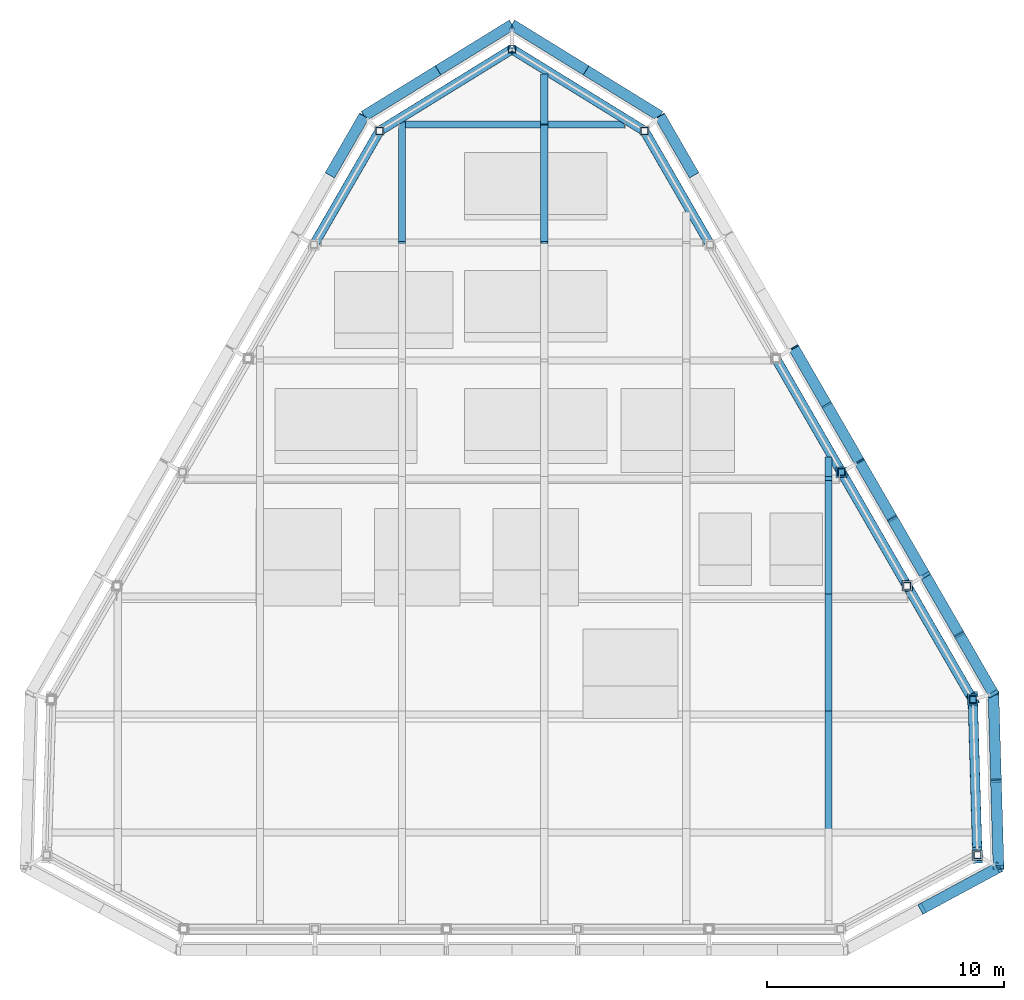
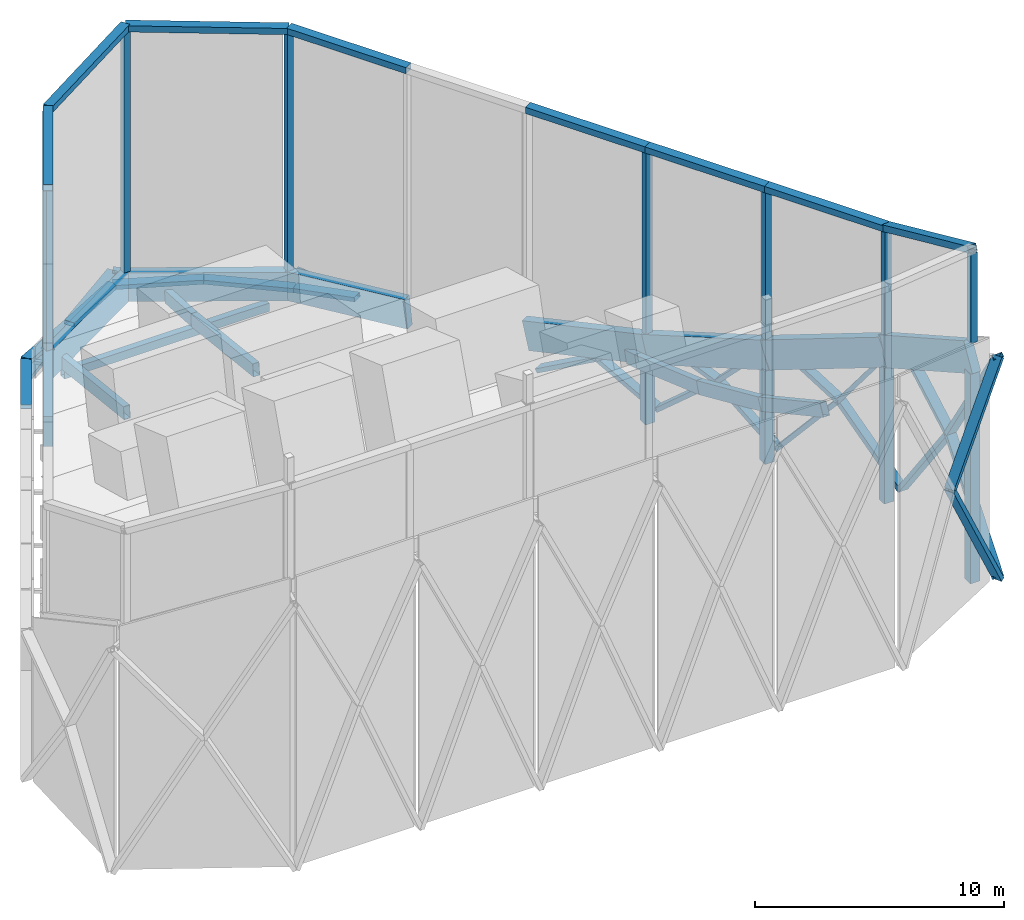
# One storey, part 4 of 13: 47 members, 17 beams.
"""IFC4 building model written with IfcOpenShell, lengths in metres."""

from ifc_helpers import new_model, si_unit, direction, frame, origin, origin_2d, place, context, subcontext, project, spatial, rectangle, hollow_rectangle, extrude, material, material_profile, profile_set, type_object, element, save


model = new_model("IFC4")

# Units and contexts
model_context = context("Model", 3, precision=1e-05, world=origin(), true_north=direction((0.0, 1.0)))
body_context = subcontext(model_context, "Body", "Model", "MODEL_VIEW")
ifc_project = project(units=[si_unit("LENGTHUNIT", "METRE"), si_unit("AREAUNIT", "SQUARE_METRE"), si_unit("VOLUMEUNIT", "CUBIC_METRE"), si_unit("PLANEANGLEUNIT", "RADIAN"), si_unit("MASSUNIT", "GRAM", prefix="KILO")], contexts=[model_context])

# Site, building, storey
site_placement = place(None, origin())
site = spatial("IfcSite", under=ifc_project, at=site_placement, CompositionType="ELEMENT")
building_placement = place(site_placement, origin())
building = spatial("IfcBuilding", under=site, at=building_placement, Name="Firuza Gate Tower and Library", CompositionType="ELEMENT")
storey_placement = place(building_placement, frame((0.0, 0.0, 358.0)))
storey = spatial("IfcBuildingStorey", under=building, at=storey_placement, Name="Upper roof", CompositionType="ELEMENT", Elevation=358.0)

# Beams
ifc_material_1 = material(Name="Steel S355", Category="steel")
ifc_material_profile_1 = material_profile(ifc_material_1, hollow_rectangle(XDim=0.406494140625, YDim=0.3046875, WallThickness=0.01171875, at=origin_2d()))
ifc_profile_set_1 = profile_set([ifc_material_profile_1], Name="Steel S355")
beam_type_1 = type_object("IfcBeamType", Name="Crest cap beam HSS305x406x13", PredefinedType="BEAM", material=ifc_profile_set_1)
beam_1_placement = place(storey_placement, frame((94.64111328125, 63.66015625, 15.86279296875), z_axis=(-0.026783302788, 0.916697724669, -0.398682751417), x_axis=(-0.999573451893, -0.029204696052, 0.0)))
element("IfcBeam", 1, at=beam_1_placement, inside=storey, type_object=beam_type_1, Name="Crest cap beam 9", PredefinedType="BEAM", context=body_context, shape_type="SweptSolid", body=[
    extrude(hollow_rectangle(XDim=0.406494140625, YDim=0.3046875, WallThickness=0.01171875, at=origin_2d()), origin(), (0.0, 0.0, 1.0), 7.164794921875),
])
for number, where, z_axis, x_axis, name in (
    (2, (94.44921875, 70.22802734375, 13.00634765625), (-0.500004591975, 0.86602275259, 0.0), (-0.86602275259, -0.500004591975, 0.0), "Crest cap beam 10"),
    (3, (91.677734375, 75.0283203125, 13.00634765625), (-0.500004591975, 0.86602275259, 0.0), (-0.86602275259, -0.500004591975, 0.0), "Crest cap beam 11"),
    (4, (88.90625, 79.82861328125, 13.00634765625), (-0.500004591975, 0.86602275259, 0.0), (-0.86602275259, -0.500004591975, 0.0), "Crest cap beam 12"),
    (5, (83.363525390625, 89.42919921875, 13.00634765625), (-0.500004591975, 0.86602275259, 0.0), (-0.86602275259, -0.500004591975, 0.0), "Crest cap beam 14"),
):
    element("IfcBeam", number, at=place(storey_placement, frame(where, z_axis=z_axis, x_axis=x_axis)), inside=storey, type_object=beam_type_1, Name=name, PredefinedType="BEAM", context=body_context, shape_type="SweptSolid", body=[
        extrude(hollow_rectangle(XDim=0.406494140625, YDim=0.3046875, WallThickness=0.01171875, at=origin_2d()), origin(), (0.0, 0.0, 1.0), 5.54296875),
    ])
for number, where, z_axis, x_axis, name in (
    (6, (80.592041015625, 94.2294921875, 13.00634765625), (-0.851050497094, 0.525083851776, 0.0), (-0.525083851776, -0.851050497094, 0.0), "Crest cap beam 15"),
    (7, (75.0, 97.6796875, 13.00634765625), (-0.851050497094, -0.525083851776, 0.0), (0.525083851776, -0.851050497094, 0.0), "Crest cap beam 16"),
):
    element("IfcBeam", number, at=place(storey_placement, frame(where, z_axis=z_axis, x_axis=x_axis)), inside=storey, type_object=beam_type_1, Name=name, PredefinedType="BEAM", context=body_context, shape_type="SweptSolid", body=[
        extrude(hollow_rectangle(XDim=0.406494140625, YDim=0.3046875, WallThickness=0.01171875, at=origin_2d()), origin(), (0.0, 0.0, 1.0), 6.57080078125),
    ])
beam_2_placement = place(storey_placement, frame((69.407958984375, 94.2294921875, 13.00634765625), z_axis=(-0.500004591975, -0.86602275259, 0.0), x_axis=(0.86602275259, -0.500004591975, 0.0)))
element("IfcBeam", 8, at=beam_2_placement, inside=storey, type_object=beam_type_1, Name="Crest cap beam 17", PredefinedType="BEAM", context=body_context, shape_type="SweptSolid", body=[
    extrude(hollow_rectangle(XDim=0.406494140625, YDim=0.3046875, WallThickness=0.01171875, at=origin_2d()), origin(), (0.0, 0.0, 1.0), 5.54296875),
])

# Members
ifc_material_2 = material(Name="Steel S355", Category="steel")
ifc_material_profile_2 = material_profile(ifc_material_2, hollow_rectangle(XDim=0.3046875, YDim=0.3046875, WallThickness=0.014892578125, at=origin_2d()))
ifc_profile_set_2 = profile_set([ifc_material_profile_2], Name="Steel S355")
member_type_1 = type_object("IfcMemberType", Name="Crest post HSS305x305x16", PredefinedType="POST", material=ifc_profile_set_2)
member_1_placement = place(storey_placement, frame((94.44921875, 70.22802734375, 7.663330078125), z_axis=(0.0, 0.0, 1.0), x_axis=(1.0, 0.0, 0.0)))
element("IfcMember", 9, at=member_1_placement, inside=storey, type_object=member_type_1, Name="Crest post 10", PredefinedType="POST", context=body_context, shape_type="SweptSolid", body=[
    extrude(hollow_rectangle(XDim=0.3046875, YDim=0.3046875, WallThickness=0.014892578125, at=origin_2d()), origin(), (0.0, 0.0, 1.0), 5.195556640625),
])
member_2_placement = place(storey_placement, frame((88.90625, 79.82861328125, 3.922119140625), z_axis=(0.0, 0.0, 1.0), x_axis=(1.0, 0.0, 0.0)))
element("IfcMember", 10, at=member_2_placement, inside=storey, type_object=member_type_1, Name="Crest post 12", PredefinedType="POST", context=body_context, shape_type="SweptSolid", body=[
    extrude(hollow_rectangle(XDim=0.3046875, YDim=0.3046875, WallThickness=0.014892578125, at=origin_2d()), origin(), (0.0, 0.0, 1.0), 8.936767578125),
])
member_3_placement = place(storey_placement, frame((75.0, 97.6796875, 1.02392578125), z_axis=(0.0, 0.0, 1.0), x_axis=(1.0, 0.0, 0.0)))
element("IfcMember", 11, at=member_3_placement, inside=storey, type_object=member_type_1, Name="Crest post 16", PredefinedType="POST", context=body_context, shape_type="SweptSolid", body=[
    extrude(hollow_rectangle(XDim=0.3046875, YDim=0.3046875, WallThickness=0.014892578125, at=origin_2d()), origin(), (0.0, 0.0, 1.0), 11.8349609375),
])
ifc_material_3 = material(Name="Steel S355", Category="steel")
ifc_material_profile_3 = material_profile(ifc_material_3, hollow_rectangle(XDim=0.457275390625, YDim=0.203125, WallThickness=0.01171875, at=origin_2d()))
ifc_profile_set_3 = profile_set([ifc_material_profile_3], Name="Steel S355")
member_type_2 = type_object("IfcMemberType", Name="Crown lattice bar HSS203x457x13", PredefinedType="BRACE", material=ifc_profile_set_3)
member_4_placement = place(storey_placement, frame((92.30712890625, 61.404052734375, 6.209716796875), z_axis=(0.432039757891, 0.232880604635, -0.871268197277), x_axis=(-0.4744848783, 0.880263653836, 0.0)))
element("IfcMember", 12, at=member_4_placement, inside=storey, type_object=member_type_2, Name="Crown lattice band bar 8.1b", PredefinedType="BRACE", context=body_context, shape_type="SweptSolid", body=[
    extrude(hollow_rectangle(XDim=0.457275390625, YDim=0.203125, WallThickness=0.01171875, at=origin_2d()), origin(), (0.0, 0.0, 1.0), 7.4716796875),
])
member_5_placement = place(storey_placement, frame((92.30712890625, 61.404052734375, 6.209716796875), z_axis=(0.565743457853, 0.304950357292, 0.766119846684), x_axis=(-0.4744848783, 0.880263653836, 0.0)))
element("IfcMember", 13, at=member_5_placement, inside=storey, type_object=member_type_2, Name="Crown lattice band bar 8.2b", PredefinedType="BRACE", context=body_context, shape_type="SweptSolid", body=[
    extrude(hollow_rectangle(XDim=0.457275390625, YDim=0.203125, WallThickness=0.01171875, at=origin_2d()), origin(), (0.0, 0.0, 1.0), 5.705810546875),
])
for number, where, z_axis, x_axis, name in (
    (14, (95.53515625, 63.14404296875, -0.300048828125), (-0.017409296389, 0.595445524575, 0.803207036612), (-0.999572860194, -0.029224940768, 0.0), "Crown lattice band bar 9.1a"),
    (15, (95.427978515625, 66.809814453125, 4.644775390625), (-0.017409707483, 0.595419927456, -0.803226003111), (-0.99957280333, -0.029226885618, 0.0), "Crown lattice band bar 9.1b"),
):
    element("IfcMember", number, at=place(storey_placement, frame(where, z_axis=z_axis, x_axis=x_axis)), inside=storey, type_object=member_type_2, Name=name, PredefinedType="BRACE", context=body_context, shape_type="SweptSolid", body=[
        extrude(hollow_rectangle(XDim=0.457275390625, YDim=0.203125, WallThickness=0.01171875, at=origin_2d()), origin(), (0.0, 0.0, 1.0), 6.15625),
    ])
member_6_placement = place(storey_placement, frame((95.53515625, 63.14404296875, 10.5810546875), z_axis=(-0.015359961534, 0.525352670698, -0.850745933268), x_axis=(-0.999572860194, -0.029224940768, 0.0)))
element("IfcMember", 16, at=member_6_placement, inside=storey, type_object=member_type_2, Name="Crown lattice band bar 9.2a", PredefinedType="BRACE", context=body_context, shape_type="SweptSolid", body=[
    extrude(hollow_rectangle(XDim=0.457275390625, YDim=0.203125, WallThickness=0.01171875, at=origin_2d()), origin(), (0.0, 0.0, 1.0), 6.977783203125),
])
member_7_placement = place(storey_placement, frame((95.427978515625, 66.809814453125, 4.644775390625), z_axis=(-0.024704009325, 0.844888373596, 0.534371919253), x_axis=(-0.99957280333, -0.029226885618, 0.0)))
element("IfcMember", 17, at=member_7_placement, inside=storey, type_object=member_type_2, Name="Crown lattice band bar 9.2b", PredefinedType="BRACE", context=body_context, shape_type="SweptSolid", body=[
    extrude(hollow_rectangle(XDim=0.457275390625, YDim=0.203125, WallThickness=0.01171875, at=origin_2d()), origin(), (0.0, 0.0, 1.0), 4.33837890625),
])
for number, where, z_axis, x_axis, name in (
    (18, (95.32080078125, 70.475341796875, -0.300048828125), (-0.324578300239, 0.562169835955, 0.760666814417), (-0.866019137337, -0.500010853648, 0.0), "Crown lattice band bar 10.1a"),
    (19, (93.879638671875, 72.971435546875, 3.077392578125), (-0.324519074441, 0.562217474782, -0.760656874927), (-0.866076985468, -0.49991064726, 0.0), "Crown lattice band bar 10.1b"),
):
    element("IfcMember", number, at=place(storey_placement, frame(where, z_axis=z_axis, x_axis=x_axis)), inside=storey, type_object=member_type_2, Name=name, PredefinedType="BRACE", context=body_context, shape_type="SweptSolid", body=[
        extrude(hollow_rectangle(XDim=0.457275390625, YDim=0.203125, WallThickness=0.01171875, at=origin_2d()), origin(), (0.0, 0.0, 1.0), 4.440185546875),
    ])
member_8_placement = place(storey_placement, frame((95.32080078125, 70.475341796875, 6.963134765625), z_axis=(-0.297882709805, 0.515933055234, -0.803168085593), x_axis=(-0.866019137337, -0.500010853648, 0.0)))
element("IfcMember", 20, at=member_8_placement, inside=storey, type_object=member_type_2, Name="Crown lattice band bar 10.2a", PredefinedType="BRACE", context=body_context, shape_type="SweptSolid", body=[
    extrude(hollow_rectangle(XDim=0.457275390625, YDim=0.203125, WallThickness=0.01171875, at=origin_2d()), origin(), (0.0, 0.0, 1.0), 4.838134765625),
])
member_9_placement = place(storey_placement, frame((93.879638671875, 72.971435546875, 3.077392578125), z_axis=(-0.423742914411, 0.734119162971, 0.530576099203), x_axis=(-0.866076985468, -0.49991064726, 0.0)))
element("IfcMember", 21, at=member_9_placement, inside=storey, type_object=member_type_2, Name="Crown lattice band bar 10.2b", PredefinedType="BRACE", context=body_context, shape_type="SweptSolid", body=[
    extrude(hollow_rectangle(XDim=0.457275390625, YDim=0.203125, WallThickness=0.01171875, at=origin_2d()), origin(), (0.0, 0.0, 1.0), 3.400390625),
])
member_10_placement = place(storey_placement, frame((92.438720703125, 75.4677734375, -0.300048828125), z_axis=(-0.381455457378, 0.660692142616, 0.646511892174), x_axis=(-0.86602275259, -0.500004591975, 0.0)))
element("IfcMember", 22, at=member_10_placement, inside=storey, type_object=member_type_2, Name="Crown lattice band bar 11.1a", PredefinedType="BRACE", context=body_context, shape_type="SweptSolid", body=[
    extrude(hollow_rectangle(XDim=0.457275390625, YDim=0.203125, WallThickness=0.01171875, at=origin_2d()), origin(), (0.0, 0.0, 1.0), 3.6328125),
])
member_11_placement = place(storey_placement, frame((91.052978515625, 77.867919921875, 2.048583984375), z_axis=(-0.381472394954, 0.660654271036, -0.646540598918), x_axis=(-0.866000726912, -0.500042739161, 0.0)))
element("IfcMember", 23, at=member_11_placement, inside=storey, type_object=member_type_2, Name="Crown lattice band bar 11.1b", PredefinedType="BRACE", context=body_context, shape_type="SweptSolid", body=[
    extrude(hollow_rectangle(XDim=0.457275390625, YDim=0.203125, WallThickness=0.01171875, at=origin_2d()), origin(), (0.0, 0.0, 1.0), 3.632568359375),
])
member_12_placement = place(storey_placement, frame((92.438720703125, 75.4677734375, 4.881591796875), z_axis=(-0.349652753828, 0.60560891876, -0.714829202858), x_axis=(-0.86602275259, -0.500004591975, 0.0)))
element("IfcMember", 24, at=member_12_placement, inside=storey, type_object=member_type_2, Name="Crown lattice band bar 11.2a", PredefinedType="BRACE", context=body_context, shape_type="SweptSolid", body=[
    extrude(hollow_rectangle(XDim=0.457275390625, YDim=0.203125, WallThickness=0.01171875, at=origin_2d()), origin(), (0.0, 0.0, 1.0), 3.963134765625),
])
member_13_placement = place(storey_placement, frame((91.052978515625, 77.867919921875, 2.048583984375), z_axis=(-0.46045539814, 0.797441255059, 0.389959319742), x_axis=(-0.866000726912, -0.500042739161, 0.0)))
element("IfcMember", 25, at=member_13_placement, inside=storey, type_object=member_type_2, Name="Crown lattice band bar 11.2b", PredefinedType="BRACE", context=body_context, shape_type="SweptSolid", body=[
    extrude(hollow_rectangle(XDim=0.457275390625, YDim=0.203125, WallThickness=0.01171875, at=origin_2d()), origin(), (0.0, 0.0, 1.0), 3.009521484375),
])
for number, where, z_axis, x_axis, name in (
    (26, (89.667236328125, 80.267822265625, -0.300048828125), (-0.436847339757, 0.756632522401, 0.486489082911), (-0.86602275259, -0.500004591975, 0.0), "Crown lattice band bar 12.1a"),
    (27, (88.281494140625, 82.66796875, 1.2431640625), (-0.436847339757, 0.756632522401, -0.486489082911), (-0.86602275259, -0.500004591975, 0.0), "Crown lattice band bar 12.1b"),
):
    element("IfcMember", number, at=place(storey_placement, frame(where, z_axis=z_axis, x_axis=x_axis)), inside=storey, type_object=member_type_2, Name=name, PredefinedType="BRACE", context=body_context, shape_type="SweptSolid", body=[
        extrude(hollow_rectangle(XDim=0.457275390625, YDim=0.203125, WallThickness=0.01171875, at=origin_2d()), origin(), (0.0, 0.0, 1.0), 3.172119140625),
    ])
member_14_placement = place(storey_placement, frame((89.667236328125, 80.267822265625, 3.22216796875), z_axis=(-0.406912801117, 0.704785015466, -0.581119655718), x_axis=(-0.86602275259, -0.500004591975, 0.0)))
element("IfcMember", 28, at=member_14_placement, inside=storey, type_object=member_type_2, Name="Crown lattice band bar 12.2a", PredefinedType="BRACE", context=body_context, shape_type="SweptSolid", body=[
    extrude(hollow_rectangle(XDim=0.457275390625, YDim=0.203125, WallThickness=0.01171875, at=origin_2d()), origin(), (0.0, 0.0, 1.0), 3.405517578125),
])
member_15_placement = place(storey_placement, frame((88.281494140625, 82.66796875, 1.2431640625), z_axis=(-0.484374777837, 0.838951451888, 0.248075665816), x_axis=(-0.86602275259, -0.500004591975, 0.0)))
element("IfcMember", 29, at=member_15_placement, inside=storey, type_object=member_type_2, Name="Crown lattice band bar 12.2b", PredefinedType="BRACE", context=body_context, shape_type="SweptSolid", body=[
    extrude(hollow_rectangle(XDim=0.457275390625, YDim=0.203125, WallThickness=0.01171875, at=origin_2d()), origin(), (0.0, 0.0, 1.0), 2.86083984375),
])
member_16_placement = place(storey_placement, frame((82.68310546875, 92.364501953125, 0.248046875), z_axis=(-0.491208319453, 0.850773142145, -0.186813938196), x_axis=(-0.866019137337, -0.500010853648, 0.0)))
element("IfcMember", 30, at=member_16_placement, inside=storey, type_object=member_type_2, Name="Crown lattice band bar 14.1b", PredefinedType="BRACE", context=body_context, shape_type="SweptSolid", body=[
    extrude(hollow_rectangle(XDim=0.457275390625, YDim=0.203125, WallThickness=0.01171875, at=origin_2d()), origin(), (0.0, 0.0, 1.0), 2.933837890625),
])
member_17_placement = place(storey_placement, frame((82.68310546875, 92.364501953125, 0.248046875), z_axis=(-0.498044896343, 0.862614097952, 0.088590062877), x_axis=(-0.866019137337, -0.500010853648, 0.0)))
element("IfcMember", 31, at=member_17_placement, inside=storey, type_object=member_type_2, Name="Crown lattice band bar 14.2b", PredefinedType="BRACE", context=body_context, shape_type="SweptSolid", body=[
    extrude(hollow_rectangle(XDim=0.457275390625, YDim=0.203125, WallThickness=0.01171875, at=origin_2d()), origin(), (0.0, 0.0, 1.0), 2.8935546875),
])
member_18_placement = place(storey_placement, frame((81.241943359375, 94.860595703125, -0.300048828125), z_axis=(-0.847213743725, 0.522789799773, 0.094444151201), x_axis=(-0.525137077741, -0.85101765527, 0.0)))
element("IfcMember", 32, at=member_18_placement, inside=storey, type_object=member_type_2, Name="Crown lattice band bar 15.1a", PredefinedType="BRACE", context=body_context, shape_type="SweptSolid", body=[
    extrude(hollow_rectangle(XDim=0.457275390625, YDim=0.203125, WallThickness=0.01171875, at=origin_2d()), origin(), (0.0, 0.0, 1.0), 3.68359375),
])
member_19_placement = place(storey_placement, frame((78.12109375, 96.786376953125, 0.0478515625), z_axis=(-0.847261799215, 0.52271228179, -0.094442120141), x_axis=(-0.525059110087, -0.851065761804, 0.0)))
element("IfcMember", 33, at=member_19_placement, inside=storey, type_object=member_type_2, Name="Crown lattice band bar 15.1b", PredefinedType="BRACE", context=body_context, shape_type="SweptSolid", body=[
    extrude(hollow_rectangle(XDim=0.457275390625, YDim=0.203125, WallThickness=0.01171875, at=origin_2d()), origin(), (0.0, 0.0, 1.0), 3.683837890625),
])
member_20_placement = place(storey_placement, frame((78.12109375, 96.786376953125, 0.0478515625), z_axis=(-0.848663561218, 0.523577089121, 0.075081233396), x_axis=(-0.525059110087, -0.851065761804, 0.0)))
element("IfcMember", 34, at=member_20_placement, inside=storey, type_object=member_type_2, Name="Crown lattice band bar 15.2b", PredefinedType="BRACE", context=body_context, shape_type="SweptSolid", body=[
    extrude(hollow_rectangle(XDim=0.457275390625, YDim=0.203125, WallThickness=0.01171875, at=origin_2d()), origin(), (0.0, 0.0, 1.0), 3.677734375),
])
member_21_placement = place(storey_placement, frame((75.0, 98.7119140625, -0.300048828125), z_axis=(-0.847261799215, -0.52271228179, 0.094442120141), x_axis=(0.525059110087, -0.851065761804, 0.0)))
element("IfcMember", 35, at=member_21_placement, inside=storey, type_object=member_type_2, Name="Crown lattice band bar 16.1a", PredefinedType="BRACE", context=body_context, shape_type="SweptSolid", body=[
    extrude(hollow_rectangle(XDim=0.457275390625, YDim=0.203125, WallThickness=0.01171875, at=origin_2d()), origin(), (0.0, 0.0, 1.0), 3.683837890625),
])
member_22_placement = place(storey_placement, frame((71.87890625, 96.786376953125, 0.0478515625), z_axis=(-0.847213743725, -0.522789799773, -0.094444151201), x_axis=(0.525137077741, -0.85101765527, 0.0)))
element("IfcMember", 36, at=member_22_placement, inside=storey, type_object=member_type_2, Name="Crown lattice band bar 16.1b", PredefinedType="BRACE", context=body_context, shape_type="SweptSolid", body=[
    extrude(hollow_rectangle(XDim=0.457275390625, YDim=0.203125, WallThickness=0.01171875, at=origin_2d()), origin(), (0.0, 0.0, 1.0), 3.68359375),
])
member_23_placement = place(storey_placement, frame((75.0, 98.7119140625, 0.323974609375), z_axis=(-0.848663561218, -0.523577089121, -0.075081233396), x_axis=(0.525059110087, -0.851065761804, 0.0)))
element("IfcMember", 37, at=member_23_placement, inside=storey, type_object=member_type_2, Name="Crown lattice band bar 16.2a", PredefinedType="BRACE", context=body_context, shape_type="SweptSolid", body=[
    extrude(hollow_rectangle(XDim=0.457275390625, YDim=0.203125, WallThickness=0.01171875, at=origin_2d()), origin(), (0.0, 0.0, 1.0), 3.677734375),
])
member_24_placement = place(storey_placement, frame((71.87890625, 96.786376953125, 0.0478515625), z_axis=(-0.844498510636, -0.521114312125, 0.123540030892), x_axis=(0.525137077741, -0.85101765527, 0.0)))
element("IfcMember", 38, at=member_24_placement, inside=storey, type_object=member_type_2, Name="Crown lattice band bar 16.2b", PredefinedType="BRACE", context=body_context, shape_type="SweptSolid", body=[
    extrude(hollow_rectangle(XDim=0.457275390625, YDim=0.203125, WallThickness=0.01171875, at=origin_2d()), origin(), (0.0, 0.0, 1.0), 3.695556640625),
])
member_25_placement = place(storey_placement, frame((68.758056640625, 94.860595703125, -0.300048828125), z_axis=(-0.491208319453, -0.850773142145, 0.186813938196), x_axis=(0.866019137337, -0.500010853648, 0.0)))
element("IfcMember", 39, at=member_25_placement, inside=storey, type_object=member_type_2, Name="Crown lattice band bar 17.1a", PredefinedType="BRACE", context=body_context, shape_type="SweptSolid", body=[
    extrude(hollow_rectangle(XDim=0.457275390625, YDim=0.203125, WallThickness=0.01171875, at=origin_2d()), origin(), (0.0, 0.0, 1.0), 2.933837890625),
])
member_26_placement = place(storey_placement, frame((68.758056640625, 94.860595703125, 0.50439453125), z_axis=(-0.498044896343, -0.862614097952, -0.088590062877), x_axis=(0.866019137337, -0.500010853648, 0.0)))
element("IfcMember", 40, at=member_26_placement, inside=storey, type_object=member_type_2, Name="Crown lattice band bar 17.2a", PredefinedType="BRACE", context=body_context, shape_type="SweptSolid", body=[
    extrude(hollow_rectangle(XDim=0.457275390625, YDim=0.203125, WallThickness=0.01171875, at=origin_2d()), origin(), (0.0, 0.0, 1.0), 2.8935546875),
])

# Beams
ifc_material_4 = material(Name="Concrete C60/75", Category="concrete")
ifc_material_profile_4 = material_profile(ifc_material_4, rectangle(XDim=0.39990234375, YDim=1.39990234375, at=origin_2d()))
ifc_profile_set_4 = profile_set([ifc_material_profile_4], Name="Concrete C60/75")
beam_type_2 = type_object("IfcBeamType", Name="Crown roof edge beam 400x1400", PredefinedType="BEAM", material=ifc_profile_set_4)
beam_3_placement = place(storey_placement, frame((94.64111328125, 63.66015625, 10.5810546875), z_axis=(-0.025582958958, 0.875614200883, -0.482333166414), x_axis=(-0.999573451893, -0.029204696052, 0.0)))
element("IfcBeam", 41, at=beam_3_placement, inside=storey, type_object=beam_type_2, Name="Crown roof edge beam 9", PredefinedType="BEAM", context=body_context, shape_type="SweptSolid", body=[
    extrude(rectangle(XDim=0.39990234375, YDim=1.39990234375, at=origin_2d()), origin(), (0.0, 0.0, 1.0), 7.5009765625),
])
beam_4_placement = place(storey_placement, frame((94.44921875, 70.22802734375, 6.963134765625), z_axis=(-0.468086968677, 0.81074048433, -0.351560033028), x_axis=(-0.86602275259, -0.500004591975, 0.0)))
element("IfcBeam", 42, at=beam_4_placement, inside=storey, type_object=beam_type_2, Name="Crown roof edge beam 10", PredefinedType="BEAM", context=body_context, shape_type="SweptSolid", body=[
    extrude(rectangle(XDim=0.39990234375, YDim=1.39990234375, at=origin_2d()), origin(), (0.0, 0.0, 1.0), 5.9208984375),
])
beam_5_placement = place(storey_placement, frame((91.677734375, 75.0283203125, 4.881591796875), z_axis=(-0.478999555056, 0.829641406934, -0.286800561638), x_axis=(-0.86602275259, -0.500004591975, 0.0)))
element("IfcBeam", 43, at=beam_5_placement, inside=storey, type_object=beam_type_2, Name="Crown roof edge beam 11", PredefinedType="BEAM", context=body_context, shape_type="SweptSolid", body=[
    extrude(rectangle(XDim=0.39990234375, YDim=1.39990234375, at=origin_2d()), origin(), (0.0, 0.0, 1.0), 5.785888671875),
])
beam_6_placement = place(storey_placement, frame((88.90625, 79.82861328125, 3.22216796875), z_axis=(-0.487389101667, 0.84417234998, -0.223214934775), x_axis=(-0.86602275259, -0.500004591975, 0.0)))
element("IfcBeam", 44, at=beam_6_placement, inside=storey, type_object=beam_type_2, Name="Crown roof edge beam 12", PredefinedType="BEAM", context=body_context, shape_type="SweptSolid", body=[
    extrude(rectangle(XDim=0.39990234375, YDim=1.39990234375, at=origin_2d()), origin(), (0.0, 0.0, 1.0), 5.686279296875),
])
beam_7_placement = place(storey_placement, frame((83.363525390625, 89.42919921875, 1.052001953125), z_axis=(-0.49758222032, 0.861827133186, -0.09831544399), x_axis=(-0.86602275259, -0.500004591975, 0.0)))
element("IfcBeam", 45, at=beam_7_placement, inside=storey, type_object=beam_type_2, Name="Crown roof edge beam 14", PredefinedType="BEAM", context=body_context, shape_type="SweptSolid", body=[
    extrude(rectangle(XDim=0.39990234375, YDim=1.39990234375, at=origin_2d()), origin(), (0.0, 0.0, 1.0), 5.56982421875),
])
for number, where, z_axis, x_axis, name in (
    (46, (80.592041015625, 94.2294921875, 0.50439453125), (-0.850729856291, 0.52488602179, -0.027447691063), (-0.525083851776, -0.851050497094, 0.0), "Crown roof edge beam 15"),
    (47, (75.0, 97.6796875, 0.323974609375), (-0.850729856291, -0.52488602179, 0.027447691063), (0.525083851776, -0.851050497094, 0.0), "Crown roof edge beam 16"),
):
    element("IfcBeam", number, at=place(storey_placement, frame(where, z_axis=z_axis, x_axis=x_axis)), inside=storey, type_object=beam_type_2, Name=name, PredefinedType="BEAM", context=body_context, shape_type="SweptSolid", body=[
        extrude(rectangle(XDim=0.39990234375, YDim=1.39990234375, at=origin_2d()), origin(), (0.0, 0.0, 1.0), 6.5732421875),
    ])
beam_8_placement = place(storey_placement, frame((69.407958984375, 94.2294921875, 0.50439453125), z_axis=(-0.49758222032, -0.861827133186, 0.09831544399), x_axis=(0.86602275259, -0.500004591975, 0.0)))
element("IfcBeam", 48, at=beam_8_placement, inside=storey, type_object=beam_type_2, Name="Crown roof edge beam 17", PredefinedType="BEAM", context=body_context, shape_type="SweptSolid", body=[
    extrude(rectangle(XDim=0.39990234375, YDim=1.39990234375, at=origin_2d()), origin(), (0.0, 0.0, 1.0), 5.56982421875),
])

# Members
ifc_material_5 = material(Name="Concrete C60/75", Category="concrete")
ifc_material_profile_5 = material_profile(ifc_material_5, rectangle(XDim=0.449951171875, YDim=0.449951171875, at=origin_2d()))
ifc_profile_set_5 = profile_set([ifc_material_profile_5], Name="Concrete C60/75")
member_type_3 = type_object("IfcMemberType", Name="Crown roof post 450x450", PredefinedType="POST", material=ifc_profile_set_5)
member_27_placement = place(storey_placement, frame((94.64111328125, 63.66015625, -0.39990234375), z_axis=(0.0, 0.0, 1.0), x_axis=(1.0, 0.0, 0.0)))
element("IfcMember", 49, at=member_27_placement, inside=storey, type_object=member_type_3, Name="Crown roof post 9", PredefinedType="POST", context=body_context, shape_type="SweptSolid", body=[
    extrude(rectangle(XDim=0.449951171875, YDim=0.449951171875, at=origin_2d()), origin(), (0.0, 0.0, 1.0), 10.281005859375),
])
member_28_placement = place(storey_placement, frame((94.44921875, 70.22802734375, -0.39990234375), z_axis=(0.0, 0.0, 1.0), x_axis=(1.0, 0.0, 0.0)))
element("IfcMember", 50, at=member_28_placement, inside=storey, type_object=member_type_3, Name="Crown roof post 10", PredefinedType="POST", context=body_context, shape_type="SweptSolid", body=[
    extrude(rectangle(XDim=0.449951171875, YDim=0.449951171875, at=origin_2d()), origin(), (0.0, 0.0, 1.0), 6.6630859375),
])
member_29_placement = place(storey_placement, frame((91.677734375, 75.0283203125, -0.39990234375), z_axis=(0.0, 0.0, 1.0), x_axis=(1.0, 0.0, 0.0)))
element("IfcMember", 51, at=member_29_placement, inside=storey, type_object=member_type_3, Name="Crown roof post 11", PredefinedType="POST", context=body_context, shape_type="SweptSolid", body=[
    extrude(rectangle(XDim=0.449951171875, YDim=0.449951171875, at=origin_2d()), origin(), (0.0, 0.0, 1.0), 4.581298828125),
])
member_30_placement = place(storey_placement, frame((88.90625, 79.82861328125, -0.39990234375), z_axis=(0.0, 0.0, 1.0), x_axis=(1.0, 0.0, 0.0)))
element("IfcMember", 52, at=member_30_placement, inside=storey, type_object=member_type_3, Name="Crown roof post 12", PredefinedType="POST", context=body_context, shape_type="SweptSolid", body=[
    extrude(rectangle(XDim=0.449951171875, YDim=0.449951171875, at=origin_2d()), origin(), (0.0, 0.0, 1.0), 2.921875),
])
ifc_material_6 = material(Name="Steel S355", Category="steel")
ifc_material_profile_6 = material_profile(ifc_material_6, hollow_rectangle(XDim=0.3046875, YDim=0.3046875, WallThickness=0.014892578125, at=origin_2d()))
ifc_profile_set_6 = profile_set([ifc_material_profile_6], Name="Steel S355")
member_type_4 = type_object("IfcMemberType", Name="Finial mast HSS305x305x16", PredefinedType="POST", material=ifc_profile_set_6)
member_31_placement = place(storey_placement, frame((94.64111328125, 63.66015625, 11.321044921875), z_axis=(0.0, 0.0, 1.0), x_axis=(1.0, 0.0, 0.0)))
element("IfcMember", 53, at=member_31_placement, inside=storey, type_object=member_type_4, Name="Finial mast 9", PredefinedType="POST", context=body_context, shape_type="SweptSolid", body=[
    extrude(hollow_rectangle(XDim=0.3046875, YDim=0.3046875, WallThickness=0.014892578125, at=origin_2d()), origin(), (0.0, 0.0, 1.0), 4.394287109375),
])
member_32_placement = place(storey_placement, frame((91.677734375, 75.0283203125, 5.62158203125), z_axis=(0.0, 0.0, 1.0), x_axis=(1.0, 0.0, 0.0)))
element("IfcMember", 54, at=member_32_placement, inside=storey, type_object=member_type_4, Name="Finial mast 11", PredefinedType="POST", context=body_context, shape_type="SweptSolid", body=[
    extrude(hollow_rectangle(XDim=0.3046875, YDim=0.3046875, WallThickness=0.014892578125, at=origin_2d()), origin(), (0.0, 0.0, 1.0), 7.2373046875),
])
for number, where, z_axis, x_axis, name in (
    (55, (80.592041015625, 94.2294921875, 1.244384765625), (0.0, 0.0, 1.0), (1.0, 0.0, 0.0), "Finial mast 15"),
    (56, (69.407958984375, 94.2294921875, 1.244384765625), (0.0, 0.0, 1.0), (1.0, 0.0, 0.0), "Finial mast 17"),
):
    element("IfcMember", number, at=place(storey_placement, frame(where, z_axis=z_axis, x_axis=x_axis)), inside=storey, type_object=member_type_4, Name=name, PredefinedType="POST", context=body_context, shape_type="SweptSolid", body=[
        extrude(hollow_rectangle(XDim=0.3046875, YDim=0.3046875, WallThickness=0.014892578125, at=origin_2d()), origin(), (0.0, 0.0, 1.0), 11.614501953125),
    ])

# Beam
ifc_material_7 = material(Name="Steel S355", Category="steel")
ifc_material_profile_7 = material_profile(ifc_material_7, hollow_rectangle(XDim=0.3046875, YDim=0.406494140625, WallThickness=0.01171875, at=origin_2d()))
ifc_profile_set_7 = profile_set([ifc_material_profile_7], Name="Steel S355")
beam_type_3 = type_object("IfcBeamType", Name="Roof arc girder HSS406x305x13", PredefinedType="BEAM", material=ifc_profile_set_7)
beam_9_placement = place(storey_placement, frame((70.24755859375, 94.5, -0.428955078125), z_axis=(1.0, 0.0, 0.0), x_axis=(0.0, 1.0, 0.0)))
element("IfcBeam", 57, at=beam_9_placement, inside=storey, type_object=beam_type_3, Name="Roof arc girder 8", PredefinedType="BEAM", context=body_context, shape_type="SweptSolid", body=[
    extrude(hollow_rectangle(XDim=0.3046875, YDim=0.406494140625, WallThickness=0.01171875, at=origin_2d()), origin(), (0.0, 0.0, 1.0), 9.5048828125),
])

# Members
ifc_material_8 = material(Name="Steel S355", Category="steel")
ifc_material_profile_8 = material_profile(ifc_material_8, hollow_rectangle(XDim=0.3046875, YDim=0.609619140625, WallThickness=0.01171875, at=origin_2d()))
ifc_profile_set_8 = profile_set([ifc_material_profile_8], Name="Steel S355")
member_type_5 = type_object("IfcMemberType", Name="Roof arc rib HSS610x305x13", PredefinedType="USERDEFINED", material=ifc_profile_set_8)
member_33_placement = place(storey_placement, frame((70.35888671875, 89.520263671875, 0.633544921875), z_axis=(0.0, 0.993921683659, -0.110089448873), x_axis=(-1.0, 0.0, 0.0)))
element("IfcMember", 58, at=member_33_placement, inside=storey, type_object=member_type_5, Name="Roof arc rib 3", ObjectType="ARCH RIB", PredefinedType="USERDEFINED", context=body_context, shape_type="SweptSolid", body=[
    extrude(hollow_rectangle(XDim=0.3046875, YDim=0.609619140625, WallThickness=0.01171875, at=origin_2d()), origin(), (0.0, 0.0, 1.0), 5.091796875),
])
member_34_placement = place(storey_placement, frame((76.35888671875, 89.520263671875, 0.633544921875), z_axis=(0.0, 0.993858752211, -0.110656136994), x_axis=(-1.0, 0.0, 0.0)))
element("IfcMember", 59, at=member_34_placement, inside=storey, type_object=member_type_5, Name="Roof arc rib 4", ObjectType="ARCH RIB", PredefinedType="USERDEFINED", context=body_context, shape_type="SweptSolid", body=[
    extrude(hollow_rectangle(XDim=0.3046875, YDim=0.609619140625, WallThickness=0.01171875, at=origin_2d()), origin(), (0.0, 0.0, 1.0), 5.010498046875),
])
member_35_placement = place(storey_placement, frame((76.35888671875, 94.5, 0.0791015625), z_axis=(0.0, 0.998304566311, -0.058206467701), x_axis=(-1.0, 0.0, 0.0)))
element("IfcMember", 60, at=member_35_placement, inside=storey, type_object=member_type_5, Name="Roof arc rib 4", ObjectType="ARCH RIB", PredefinedType="USERDEFINED", context=body_context, shape_type="SweptSolid", body=[
    extrude(hollow_rectangle(XDim=0.3046875, YDim=0.609619140625, WallThickness=0.01171875, at=origin_2d()), origin(), (0.0, 0.0, 1.0), 2.10986328125),
])
member_36_placement = place(storey_placement, frame((88.35888671875, 64.6220703125, 9.585693359375), z_axis=(0.0, 0.877436495041, -0.479692815424), x_axis=(-1.0, 0.0, 0.0)))
element("IfcMember", 61, at=member_36_placement, inside=storey, type_object=member_type_5, Name="Roof arc rib 6", ObjectType="ARCH RIB", PredefinedType="USERDEFINED", context=body_context, shape_type="SweptSolid", body=[
    extrude(hollow_rectangle(XDim=0.3046875, YDim=0.609619140625, WallThickness=0.01171875, at=origin_2d()), origin(), (0.0, 0.0, 1.0), 5.67529296875),
])
member_37_placement = place(storey_placement, frame((88.35888671875, 69.601806640625, 6.86328125), z_axis=(0.0, 0.913950077064, -0.405826633719), x_axis=(-1.0, 0.0, 0.0)))
element("IfcMember", 62, at=member_37_placement, inside=storey, type_object=member_type_5, Name="Roof arc rib 6", ObjectType="ARCH RIB", PredefinedType="USERDEFINED", context=body_context, shape_type="SweptSolid", body=[
    extrude(hollow_rectangle(XDim=0.3046875, YDim=0.609619140625, WallThickness=0.01171875, at=origin_2d()), origin(), (0.0, 0.0, 1.0), 5.448486328125),
])
member_38_placement = place(storey_placement, frame((88.35888671875, 74.58154296875, 4.652099609375), z_axis=(0.0, 0.943259823343, -0.332055576172), x_axis=(-1.0, 0.0, 0.0)))
element("IfcMember", 63, at=member_38_placement, inside=storey, type_object=member_type_5, Name="Roof arc rib 6", ObjectType="ARCH RIB", PredefinedType="USERDEFINED", context=body_context, shape_type="SweptSolid", body=[
    extrude(hollow_rectangle(XDim=0.3046875, YDim=0.609619140625, WallThickness=0.01171875, at=origin_2d()), origin(), (0.0, 0.0, 1.0), 5.279052734375),
])
member_39_placement = place(storey_placement, frame((88.35888671875, 79.56103515625, 2.899169921875), z_axis=(0.0, 0.957399463575, -0.288766804094), x_axis=(-1.0, 0.0, 0.0)))
element("IfcMember", 64, at=member_39_placement, inside=storey, type_object=member_type_5, Name="Roof arc rib 6", ObjectType="ARCH RIB", PredefinedType="USERDEFINED", context=body_context, shape_type="SweptSolid", body=[
    extrude(hollow_rectangle(XDim=0.3046875, YDim=0.609619140625, WallThickness=0.01171875, at=origin_2d()), origin(), (0.0, 0.0, 1.0), 0.852294921875),
])

save(model, "model.ifc")
